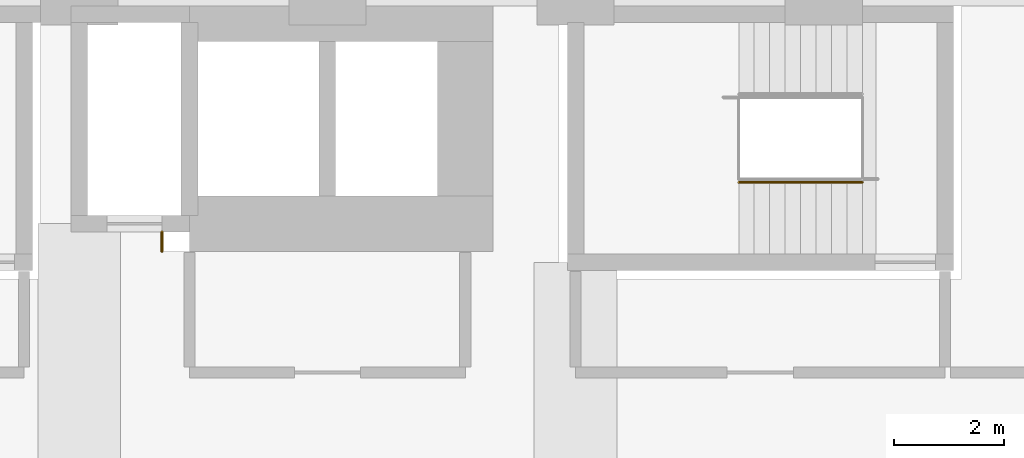
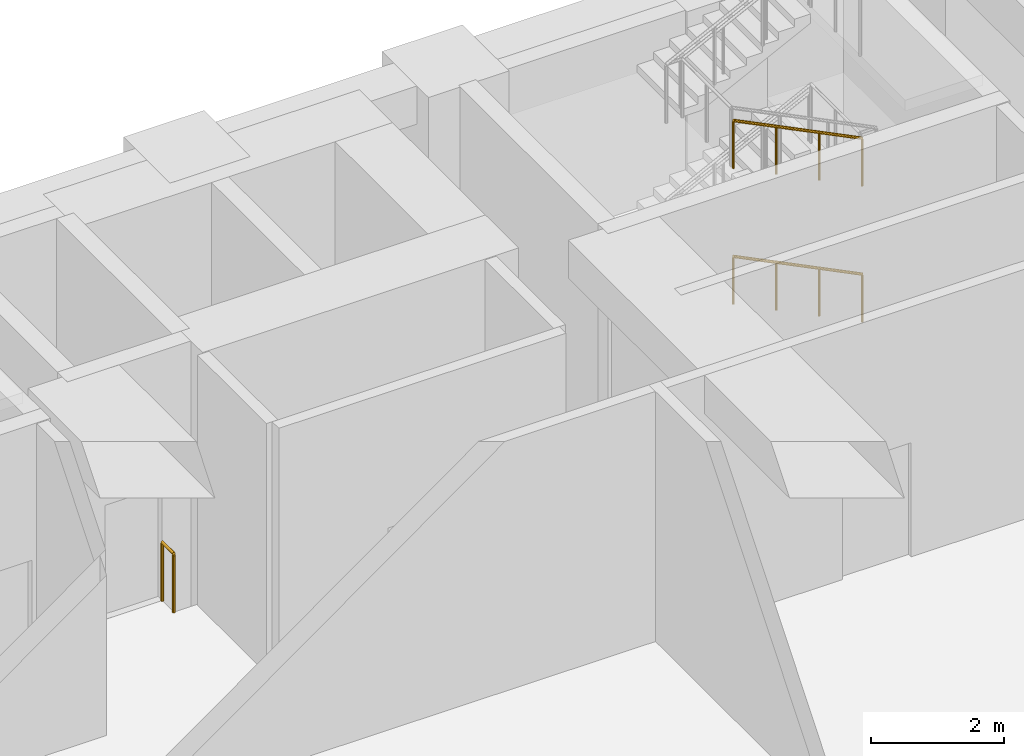
# One storey, part 30 of 34: 3 railings.
"""IFC4 building model written with IfcOpenShell, lengths in metres."""

from ifc_helpers import new_model, si_unit, direction, frame, origin, origin_2d, place, context, subcontext, project, spatial, circle, extrude, material, type_object, element, save


model = new_model("IFC4")

# Units and contexts
model_context = context("Model", 3, precision=1e-05, world=origin(), true_north=direction((0.0, 1.0)))
body_context = subcontext(model_context, "Body", "Model", "MODEL_VIEW")
ifc_project = project(units=[si_unit("LENGTHUNIT", "METRE"), si_unit("AREAUNIT", "SQUARE_METRE"), si_unit("VOLUMEUNIT", "CUBIC_METRE"), si_unit("PLANEANGLEUNIT", "RADIAN"), si_unit("MASSUNIT", "GRAM", prefix="KILO")], contexts=[model_context])

# Site, building, storey
site_placement = place(None, origin())
site = spatial("IfcSite", under=ifc_project, at=site_placement, CompositionType="ELEMENT")
building_placement = place(site_placement, origin())
building = spatial("IfcBuilding", under=site, at=building_placement, Name="Firuza Court", CompositionType="ELEMENT")
storey_placement = place(building_placement, frame((0.0, 0.0, 14.0)))
storey = spatial("IfcBuildingStorey", under=building, at=storey_placement, Name="L02", CompositionType="ELEMENT", Elevation=14.0)

# Railings
ifc_material_1 = material(Name="Steel S355", Category="steel")
railing_type_1 = type_object("IfcRailingType", Name="Handrail 900", PredefinedType="HANDRAIL", material=ifc_material_1)
for number, where, name in (
    (1, (59.199951171875, 54.949951171875, 0.138916015625), "Handrail S4 flight 1"),
    (2, (59.199951171875, 54.949951171875, 2.638916015625), "Handrail S4 flight 3"),
):
    element("IfcRailing", number, at=place(storey_placement, frame(where)), inside=storey, type_object=railing_type_1, Name=name, PredefinedType="HANDRAIL", context=body_context, shape_type="SweptSolid", body=[
        extrude(circle(Radius=0.02490234375, at=origin_2d()), frame((0.0, 0.0, 0.875), z_axis=(-0.895848192791, 0.0, 0.444360231651), x_axis=(0.0, -1.0, 0.0)), (0.0, 0.0, 1.0), 2.50048828125),
        extrude(circle(Radius=0.02001953125, at=origin_2d()), origin(), (0.0, 0.0, 1.0), 0.849853515625),
        extrude(circle(Radius=0.02001953125, at=origin_2d()), frame((-0.74658203125, 0.0, 0.370361328125)), (0.0, 0.0, 1.0), 0.849853515625),
        extrude(circle(Radius=0.02001953125, at=origin_2d()), frame((-1.493408203125, 0.0, 0.74072265625)), (0.0, 0.0, 1.0), 0.849853515625),
        extrude(circle(Radius=0.02001953125, at=origin_2d()), frame((-2.239990234375, 0.0, 1.111083984375)), (0.0, 0.0, 1.0), 0.849853515625),
    ])
ifc_material_2 = material(Name="Steel S355", Category="steel")
railing_type_2 = type_object("IfcRailingType", Name="Slab opening guard 1100", PredefinedType="GUARDRAIL", material=ifc_material_2)
railing_placement = place(storey_placement, frame((46.5, 54.050048828125, 0.0)))
element("IfcRailing", 3, at=railing_placement, inside=storey, type_object=railing_type_2, Name="Slab opening guard", PredefinedType="GUARDRAIL", context=body_context, shape_type="SweptSolid", body=[
    extrude(circle(Radius=0.02490234375, at=origin_2d()), frame((0.0, 0.0, 1.0751953125), z_axis=(0.0, -1.0, 0.0), x_axis=(1.0, 0.0, 0.0)), (0.0, 0.0, 1.0), 0.35009765625),
    extrude(circle(Radius=0.02490234375, at=origin_2d()), origin(), (0.0, 0.0, 1.0), 1.050048828125),
    extrude(circle(Radius=0.02490234375, at=origin_2d()), frame((0.0, -0.35009765625, 0.0)), (0.0, 0.0, 1.0), 1.050048828125),
])

save(model, "model.ifc")
